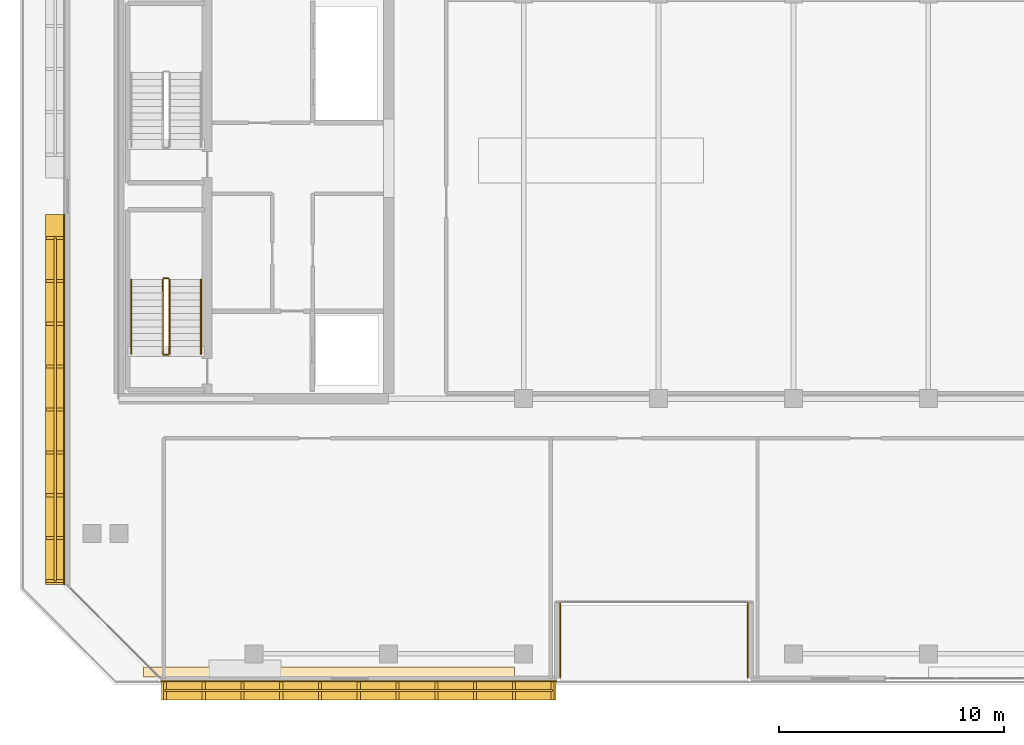
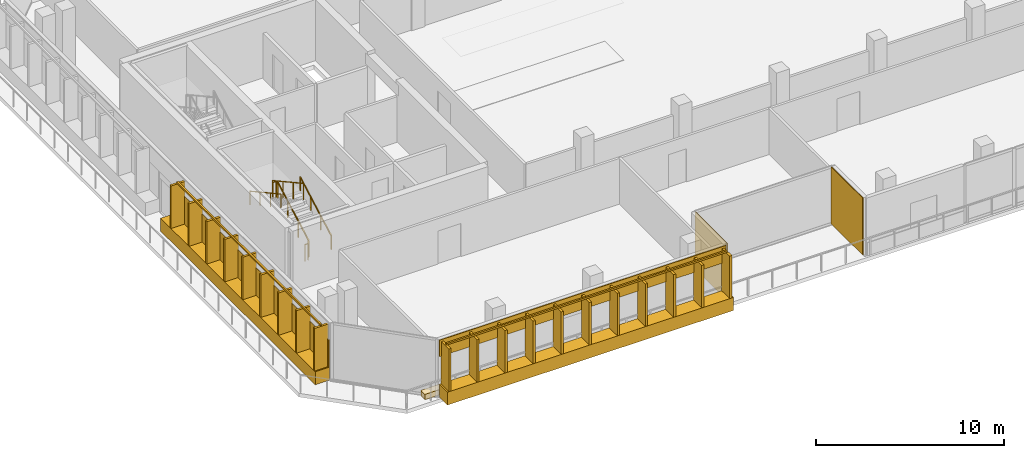
# One storey, part 23 of 26: 8 railings, 7 coverings.
"""IFC4 building model written with IfcOpenShell, lengths in metres."""

from ifc_helpers import new_model, si_unit, direction, frame, origin, origin_2d, place, context, subcontext, project, spatial, polyline, rectangle, outline, extrude, material, layer, layer_set, type_object, element, save


model = new_model("IFC4")

# Units and contexts
model_context = context("Model", 3, precision=1e-05, world=origin(), true_north=direction((0.0, 1.0)))
body_context = subcontext(model_context, "Body", "Model", "MODEL_VIEW")
ifc_project = project(units=[si_unit("LENGTHUNIT", "METRE"), si_unit("AREAUNIT", "SQUARE_METRE"), si_unit("VOLUMEUNIT", "CUBIC_METRE"), si_unit("PLANEANGLEUNIT", "RADIAN"), si_unit("MASSUNIT", "GRAM", prefix="KILO")], contexts=[model_context])

# Site, building, storey
site_placement = place(None, origin())
site = spatial("IfcSite", under=ifc_project, at=site_placement, CompositionType="ELEMENT")
building_placement = place(site_placement, origin())
building = spatial("IfcBuilding", under=site, at=building_placement, Name="Tanjung Sevakor Pilgrim Tower", CompositionType="ELEMENT")
storey_placement = place(building_placement, frame((0.0, 0.0, 177.8701171875)))
storey = spatial("IfcBuildingStorey", under=building, at=storey_placement, Name="L49", CompositionType="ELEMENT", Elevation=177.8701171875)

# Coverings
ifc_material_1 = material(Name="Reconstructed Limestone Cladding", Category="masonry")
ifc_layer_1 = layer(ifc_material_1, 0.044921875)
ifc_layer_set_1 = layer_set([ifc_layer_1], Name="COV-CLAD-LIMESTONE")
covering_type_1 = type_object("IfcCoveringType", Name="COV-CLAD-LIMESTONE", PredefinedType="CLADDING", material=ifc_layer_set_1)
covering_1_placement = place(storey_placement, frame((34.667724609375, 11.6201171875, 0.009765625), z_axis=(0.0, 0.0, 1.0), x_axis=(1.0, 0.0, 0.0)))
element("IfcCovering", 1, at=covering_1_placement, inside=storey, type_object=covering_type_1, Name="L49 Warm Limestone Sill Spandrel EW-L49-MAIN-1-1", PredefinedType="CLADDING", context=body_context, shape_type="SweptSolid", body=[
    extrude(rectangle(XDim=17.564453125, YDim=0.860107421875, at=origin_2d()), origin(), (0.0, 0.0, 1.0), 0.840087890625),
])
covering_2_placement = place(storey_placement, frame((34.667724609375, 12.027587890625, 2.65966796875), z_axis=(0.0, 0.0, 1.0), x_axis=(1.0, 0.0, 0.0)))
element("IfcCovering", 2, at=covering_2_placement, inside=storey, type_object=covering_type_1, Name="L49 Warm Limestone Cornice Spandrel EW-L49-MAIN-1", PredefinedType="CLADDING", context=body_context, shape_type="SweptSolid", body=[
    extrude(rectangle(XDim=17.6044921875, YDim=0.044921875, at=origin_2d()), origin(), (0.0, 0.0, 1.0), 1.070068359375),
])
for number, where, z_axis, x_axis, name in (
    (3, (43.62255859375, 13.860107421875, 0.02001953125), (0.0, 0.0, 1.0), (0.0, 1.0, 0.0), "L49 Warm Limestone Wall Cladding EW-L49-MAIN-2"),
    (4, (51.9775390625, 13.860107421875, 0.02001953125), (0.0, 0.0, 1.0), (0.0, -1.0, 0.0), "L49 Warm Limestone Wall Cladding EW-L49-MAIN-4"),
):
    element("IfcCovering", number, at=place(storey_placement, frame(where, z_axis=z_axis, x_axis=x_axis)), inside=storey, type_object=covering_type_1, Name=name, PredefinedType="CLADDING", context=body_context, shape_type="SweptSolid", body=[
        extrude(rectangle(XDim=3.360107421875, YDim=0.044921875, at=origin_2d()), origin(), (0.0, 0.0, 1.0), 3.699951171875),
    ])
covering_3_placement = place(storey_placement, frame((21.169921875, 24.562744140625, 0.009765625), z_axis=(0.0, 0.0, 1.0), x_axis=(0.0, -1.0, 0.0)))
element("IfcCovering", 5, at=covering_3_placement, inside=storey, type_object=covering_type_1, Name="L49 Warm Limestone Sill Spandrel EW-L49-MAIN-15-2", PredefinedType="CLADDING", context=body_context, shape_type="SweptSolid", body=[
    extrude(rectangle(XDim=16.454345703125, YDim=0.860107421875, at=origin_2d()), origin(), (0.0, 0.0, 1.0), 0.840087890625),
])
covering_4_placement = place(storey_placement, frame((21.577392578125, 24.56787109375, 0.849853515625), z_axis=(0.0, 0.0, 1.0), x_axis=(0.0, -1.0, 0.0)))
element("IfcCovering", 6, at=covering_4_placement, inside=storey, type_object=covering_type_1, Name="L49 Warm Limestone Pier Panel EW-L49-MAIN-15-2", PredefinedType="CLADDING", context=body_context, shape_type="SweptSolid", body=[
    extrude(rectangle(XDim=16.46435546875, YDim=0.044921875, at=origin_2d()), origin(), (0.0, 0.0, 1.0), 1.81005859375),
])
ifc_material_2 = material(Name="Vegetated Modular Planter Assembly", Category="organic")
ifc_layer_2 = layer(ifc_material_2, 0.35009765625)
ifc_layer_set_2 = layer_set([ifc_layer_2], Name="COV-GRN-TROUGH")
covering_type_2 = type_object("IfcCoveringType", Name="COV-GRN-TROUGH", PredefinedType="CLADDING", material=ifc_layer_set_2)
covering_5_placement = place(storey_placement, origin())
element("IfcCovering", 7, at=covering_5_placement, inside=storey, type_object=covering_type_2, Name="L49 Planted Landscape Hedge Trough SGRN-L49-SW", PredefinedType="CLADDING", context=body_context, shape_type="SweptSolid", body=[
    extrude(outline(polyline([(25.10009765625, 12.22998046875), (41.60009765625, 12.22998046875), (41.60009765625, 12.669921875), (25.10009765625, 12.669921875), (25.10009765625, 12.22998046875)])), origin(), (0.0, 0.0, 1.0), 0.349853515625),
])

# Railings
ifc_material_3 = material(Name="Anodised Bronze Aluminium 6063-T6", Category="aluminium")
railing_type_1 = type_object("IfcRailingType", Name="RL-FIN-SCREEN", PredefinedType="BALUSTRADE", material=ifc_material_3)
railing_1_placement = place(storey_placement, frame((26.045654296875, 11.625, 0.83984375)))
element("IfcRailing", 8, at=railing_1_placement, inside=storey, type_object=railing_type_1, Name="L49 Vertical Bronze-Gold Solar Fin Screen FNSCR-EW-L49-MAIN-1-1", PredefinedType="BALUSTRADE", context=body_context, shape_type="SweptSolid", body=[
    extrude(rectangle(XDim=0.105, YDim=0.105), frame((0.0, 0.0, 2.817626953125), z_axis=(1.0, 0.0, 0.0), x_axis=(0.0, 1.0, 0.0)), (0.0, 0.0, 1.0), 17.244384765625),
    extrude(rectangle(XDim=0.14, YDim=0.85), origin(), (0.0, 0.0, 1.0), 2.76513671875),
    extrude(rectangle(XDim=0.14, YDim=0.85), frame((1.724365234375, 0.0, 0.0)), (0.0, 0.0, 1.0), 2.76513671875),
    extrude(rectangle(XDim=0.14, YDim=0.85), frame((3.448974609375, 0.0, 0.0)), (0.0, 0.0, 1.0), 2.76513671875),
    extrude(rectangle(XDim=0.14, YDim=0.85), frame((5.17333984375, 0.0, 0.0)), (0.0, 0.0, 1.0), 2.76513671875),
    extrude(rectangle(XDim=0.14, YDim=0.85), frame((6.897705078125, 0.0, 0.0)), (0.0, 0.0, 1.0), 2.76513671875),
    extrude(rectangle(XDim=0.14, YDim=0.85), frame((8.6220703125, 0.0, 0.0)), (0.0, 0.0, 1.0), 2.76513671875),
    extrude(rectangle(XDim=0.14, YDim=0.85), frame((10.3466796875, 0.0, 0.0)), (0.0, 0.0, 1.0), 2.76513671875),
    extrude(rectangle(XDim=0.14, YDim=0.85), frame((12.071044921875, 0.0, 0.0)), (0.0, 0.0, 1.0), 2.76513671875),
    extrude(rectangle(XDim=0.14, YDim=0.85), frame((13.79541015625, 0.0, 0.0)), (0.0, 0.0, 1.0), 2.76513671875),
    extrude(rectangle(XDim=0.14, YDim=0.85), frame((15.52001953125, 0.0, 0.0)), (0.0, 0.0, 1.0), 2.76513671875),
    extrude(rectangle(XDim=0.14, YDim=0.85), frame((17.244384765625, 0.0, 0.0)), (0.0, 0.0, 1.0), 2.76513671875),
])
railing_2_placement = place(storey_placement, frame((21.175048828125, 31.75, 0.83984375)))
element("IfcRailing", 9, at=railing_2_placement, inside=storey, type_object=railing_type_1, Name="L49 Vertical Bronze-Gold Solar Fin Screen FNEND-EW-L49-MAIN-15-2", PredefinedType="BALUSTRADE", context=body_context, shape_type="SweptSolid", body=[
    extrude(rectangle(XDim=0.105, YDim=0.105), frame((0.0, 0.0, 2.817626953125), z_axis=(0.0, -1.0, 0.0), x_axis=(1.0, 0.0, 0.0)), (0.0, 0.0, 1.0), 15.25439453125),
    extrude(rectangle(XDim=0.85, YDim=0.14), origin(), (0.0, 0.0, 1.0), 2.76513671875),
    extrude(rectangle(XDim=0.85, YDim=0.14), frame((0.0, -1.90673828125, 0.0)), (0.0, 0.0, 1.0), 2.76513671875),
    extrude(rectangle(XDim=0.85, YDim=0.14), frame((0.0, -3.8134765625, 0.0)), (0.0, 0.0, 1.0), 2.76513671875),
    extrude(rectangle(XDim=0.85, YDim=0.14), frame((0.0, -5.720458984375, 0.0)), (0.0, 0.0, 1.0), 2.76513671875),
    extrude(rectangle(XDim=0.85, YDim=0.14), frame((0.0, -7.627197265625, 0.0)), (0.0, 0.0, 1.0), 2.76513671875),
    extrude(rectangle(XDim=0.85, YDim=0.14), frame((0.0, -9.533935546875, 0.0)), (0.0, 0.0, 1.0), 2.76513671875),
    extrude(rectangle(XDim=0.85, YDim=0.14), frame((0.0, -11.44091796875, 0.0)), (0.0, 0.0, 1.0), 2.76513671875),
    extrude(rectangle(XDim=0.85, YDim=0.14), frame((0.0, -13.34765625, 0.0)), (0.0, 0.0, 1.0), 2.76513671875),
    extrude(rectangle(XDim=0.85, YDim=0.14), frame((0.0, -15.25439453125, 0.0)), (0.0, 0.0, 1.0), 2.76513671875),
])
ifc_material_4 = material(Name="Steel S355J2", Category="steel")
railing_type_2 = type_object("IfcRailingType", Name="RL-STAIR-GUARD", PredefinedType="GUARDRAIL", material=ifc_material_4)
railing_3_placement = place(storey_placement, frame((26.25, 26.60009765625, 0.164794921875)))
element("IfcRailing", 10, at=railing_3_placement, inside=storey, type_object=railing_type_2, Name="L49 TS-W1 stair guard 1", PredefinedType="GUARDRAIL", context=body_context, shape_type="SweptSolid", body=[
    extrude(rectangle(XDim=0.0479, YDim=0.0479), frame((0.0, 0.0, 1.076171875), z_axis=(0.0, 0.876183058343, 0.481978472831), x_axis=(-1.0, 0.0, 0.0)), (0.0, 0.0, 1.0), 3.76611328125),
    extrude(rectangle(XDim=0.042, YDim=0.042), origin(), (0.0, 0.0, 1.0), 1.052001953125),
    extrude(rectangle(XDim=0.042, YDim=0.042), frame((0.0, 1.099853515625, 0.60498046875)), (0.0, 0.0, 1.0), 1.052001953125),
    extrude(rectangle(XDim=0.042, YDim=0.042), frame((0.0, 2.199951171875, 1.210205078125)), (0.0, 0.0, 1.0), 1.052001953125),
    extrude(rectangle(XDim=0.042, YDim=0.042), frame((0.0, 3.2998046875, 1.815185546875)), (0.0, 0.0, 1.0), 1.052001953125),
])
railing_4_placement = place(storey_placement, frame((26.199951171875, 29.949951171875, 1.97998046875)))
element("IfcRailing", 11, at=railing_4_placement, inside=storey, type_object=railing_type_2, Name="L49 TS-W1 stair guard 2", PredefinedType="GUARDRAIL", context=body_context, shape_type="SweptSolid", body=[
    extrude(rectangle(XDim=0.0479, YDim=0.0479), frame((0.0, 0.0, 1.076171875), z_axis=(-1.0, 0.0, 0.0), x_axis=(0.0, -1.0, 0.0)), (0.0, 0.0, 1.0), 0.199951171875),
    extrude(rectangle(XDim=0.042, YDim=0.042), origin(), (0.0, 0.0, 1.0), 1.052001953125),
    extrude(rectangle(XDim=0.042, YDim=0.042), frame((-0.199951171875, 0.0, 0.0)), (0.0, 0.0, 1.0), 1.052001953125),
])
railing_5_placement = place(storey_placement, frame((25.949951171875, 29.89990234375, 2.144775390625)))
element("IfcRailing", 12, at=railing_5_placement, inside=storey, type_object=railing_type_2, Name="L49 TS-W1 stair guard 3", PredefinedType="GUARDRAIL", context=body_context, shape_type="SweptSolid", body=[
    extrude(rectangle(XDim=0.0479, YDim=0.0479), frame((0.0, 0.0, 1.076171875), z_axis=(0.0, -0.876183058343, 0.481978472831), x_axis=(1.0, 0.0, 0.0)), (0.0, 0.0, 1.0), 3.76611328125),
    extrude(rectangle(XDim=0.042, YDim=0.042), origin(), (0.0, 0.0, 1.0), 1.052001953125),
    extrude(rectangle(XDim=0.042, YDim=0.042), frame((0.0, -1.099853515625, 0.60498046875)), (0.0, 0.0, 1.0), 1.052001953125),
    extrude(rectangle(XDim=0.042, YDim=0.042), frame((0.0, -2.199951171875, 1.210205078125)), (0.0, 0.0, 1.0), 1.052001953125),
    extrude(rectangle(XDim=0.042, YDim=0.042), frame((0.0, -3.2998046875, 1.815185546875)), (0.0, 0.0, 1.0), 1.052001953125),
])
railing_6_placement = place(storey_placement, frame((26.199951171875, 26.550048828125, 0.0)))
element("IfcRailing", 13, at=railing_6_placement, inside=storey, type_object=railing_type_2, Name="L49 TS-W1 stair guard 4", PredefinedType="GUARDRAIL", context=body_context, shape_type="SweptSolid", body=[
    extrude(rectangle(XDim=0.0479, YDim=0.0479), frame((0.0, 0.0, 1.076171875), z_axis=(-1.0, 0.0, 0.0), x_axis=(0.0, -1.0, 0.0)), (0.0, 0.0, 1.0), 0.199951171875),
    extrude(rectangle(XDim=0.042, YDim=0.042), origin(), (0.0, 0.0, 1.0), 1.052001953125),
    extrude(rectangle(XDim=0.042, YDim=0.042), frame((-0.199951171875, 0.0, 0.0)), (0.0, 0.0, 1.0), 1.052001953125),
])
ifc_material_5 = material(Name="Steel S355J2", Category="steel")
railing_type_3 = type_object("IfcRailingType", Name="RL-STAIR-HAND", PredefinedType="HANDRAIL", material=ifc_material_5)
railing_7_placement = place(storey_placement, frame((27.64990234375, 26.60009765625, 0.164794921875)))
element("IfcRailing", 14, at=railing_7_placement, inside=storey, type_object=railing_type_3, Name="L49 TS-W1 stair handrail 1", PredefinedType="HANDRAIL", context=body_context, shape_type="SweptSolid", body=[
    extrude(rectangle(XDim=0.0479, YDim=0.0479), frame((0.0, 0.0, 0.8759765625), z_axis=(0.0, 0.876183058343, 0.481978472831), x_axis=(-1.0, 0.0, 0.0)), (0.0, 0.0, 1.0), 3.76611328125),
    extrude(rectangle(XDim=0.042, YDim=0.042), origin(), (0.0, 0.0, 1.0), 0.851806640625),
    extrude(rectangle(XDim=0.042, YDim=0.042), frame((0.0, 1.099853515625, 0.60498046875)), (0.0, 0.0, 1.0), 0.851806640625),
    extrude(rectangle(XDim=0.042, YDim=0.042), frame((0.0, 2.199951171875, 1.210205078125)), (0.0, 0.0, 1.0), 0.851806640625),
    extrude(rectangle(XDim=0.042, YDim=0.042), frame((0.0, 3.2998046875, 1.815185546875)), (0.0, 0.0, 1.0), 0.851806640625),
])
railing_8_placement = place(storey_placement, frame((24.550048828125, 29.89990234375, 2.144775390625)))
element("IfcRailing", 15, at=railing_8_placement, inside=storey, type_object=railing_type_3, Name="L49 TS-W1 stair handrail 2", PredefinedType="HANDRAIL", context=body_context, shape_type="SweptSolid", body=[
    extrude(rectangle(XDim=0.0479, YDim=0.0479), frame((0.0, 0.0, 0.8759765625), z_axis=(0.0, -0.876183058343, 0.481978472831), x_axis=(1.0, 0.0, 0.0)), (0.0, 0.0, 1.0), 3.76611328125),
    extrude(rectangle(XDim=0.042, YDim=0.042), origin(), (0.0, 0.0, 1.0), 0.851806640625),
    extrude(rectangle(XDim=0.042, YDim=0.042), frame((0.0, -1.099853515625, 0.60498046875)), (0.0, 0.0, 1.0), 0.851806640625),
    extrude(rectangle(XDim=0.042, YDim=0.042), frame((0.0, -2.199951171875, 1.210205078125)), (0.0, 0.0, 1.0), 0.851806640625),
    extrude(rectangle(XDim=0.042, YDim=0.042), frame((0.0, -3.2998046875, 1.815185546875)), (0.0, 0.0, 1.0), 0.851806640625),
])

save(model, "model.ifc")
